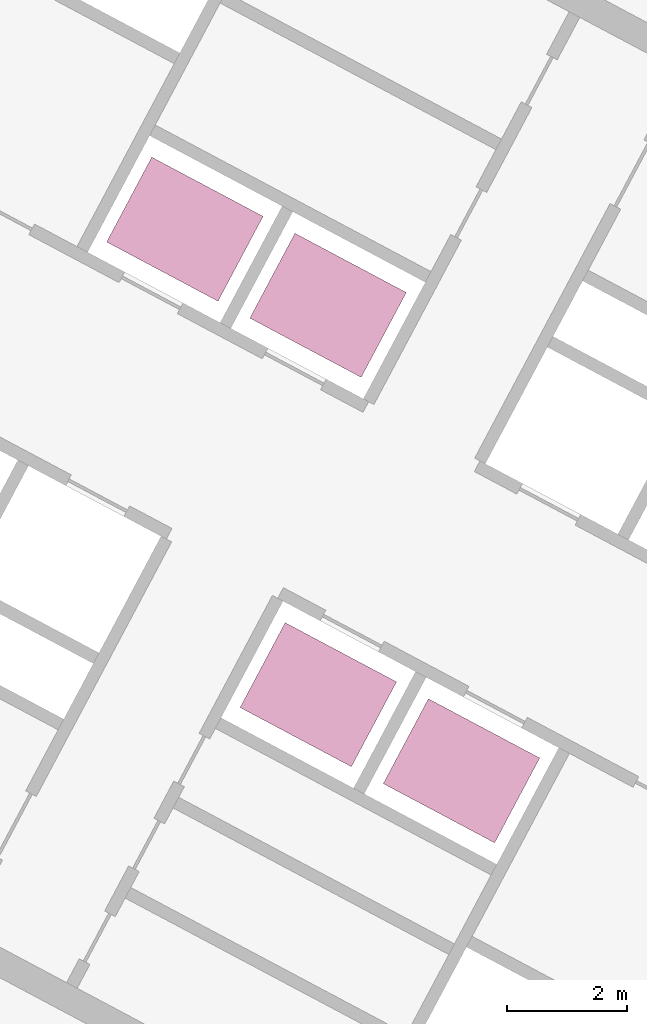
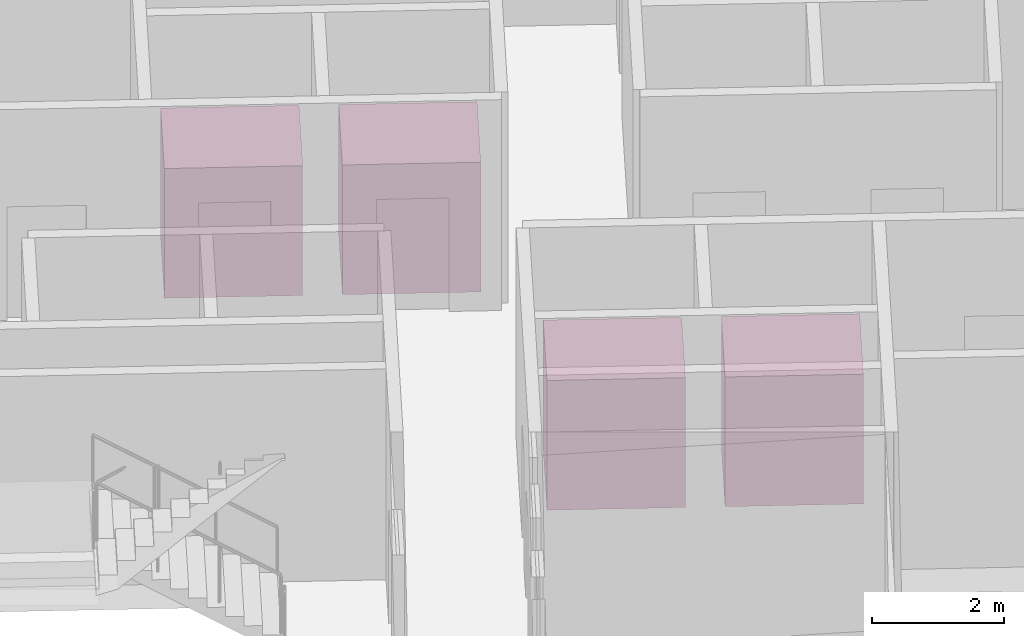
# One storey, part 30 of 30: 4 transport elements.
"""IFC4 building model written with IfcOpenShell, lengths in metres."""

from ifc_helpers import new_model, si_unit, direction, frame, origin, origin_2d, place, context, subcontext, project, spatial, rectangle, extrude, material, type_object, element, save


model = new_model("IFC4")

# Units and contexts
model_context = context("Model", 3, precision=1e-05, world=origin(), true_north=direction((0.0, 1.0)))
body_context = subcontext(model_context, "Body", "Model", "MODEL_VIEW")
ifc_project = project(units=[si_unit("LENGTHUNIT", "METRE"), si_unit("AREAUNIT", "SQUARE_METRE"), si_unit("VOLUMEUNIT", "CUBIC_METRE"), si_unit("PLANEANGLEUNIT", "RADIAN"), si_unit("MASSUNIT", "GRAM", prefix="KILO")], contexts=[model_context])

# Site, building, storey
site_placement = place(None, origin())
site = spatial("IfcSite", under=ifc_project, at=site_placement, CompositionType="ELEMENT")
building_placement = place(site_placement, origin())
building = spatial("IfcBuilding", under=site, at=building_placement, Name="Cormorant Relay Tower", CompositionType="ELEMENT")
storey_placement = place(building_placement, frame((0.0, 0.0, 258.0)))
storey = spatial("IfcBuildingStorey", under=building, at=storey_placement, Name="L57", CompositionType="ELEMENT", Elevation=258.0)

# Transport elements
ifc_material = material(Name="Stainless steel 316", Category="steel")
transport_element_type = type_object("IfcTransportElementType", Name="Passenger lift car 2100x1600 1800 kg", PredefinedType="ELEVATOR", material=ifc_material)
for number, where, z_axis, x_axis, name in (
    (1, (-25.068603515625, 10.044921875, 0.0), (0.0, 0.0, 1.0), (-0.882947592859, 0.469471562786, 0.0), "HR1"),
    (2, (-27.45263671875, 11.312255859375, 0.0), (0.0, 0.0, 1.0), (-0.882947592859, 0.469471562786, 0.0), "HR2"),
    (3, (-27.290283203125, 17.794921875, 0.0), (0.0, 0.0, 1.0), (-0.882947592859, 0.469471562786, 0.0), "HR3"),
    (4, (-29.674072265625, 19.0625, 0.0), (0.0, 0.0, 1.0), (-0.882947592859, 0.469471562786, 0.0), "HR4"),
):
    element("IfcTransportElement", number, at=place(storey_placement, frame(where, z_axis=z_axis, x_axis=x_axis)), inside=storey, type_object=transport_element_type, Name=name, PredefinedType="ELEVATOR", context=body_context, shape_type="SweptSolid", body=[
        extrude(rectangle(XDim=2.10009765625, YDim=1.60009765625, at=origin_2d()), origin(), (0.0, 0.0, 1.0), 2.39990234375),
    ])

save(model, "model.ifc")
